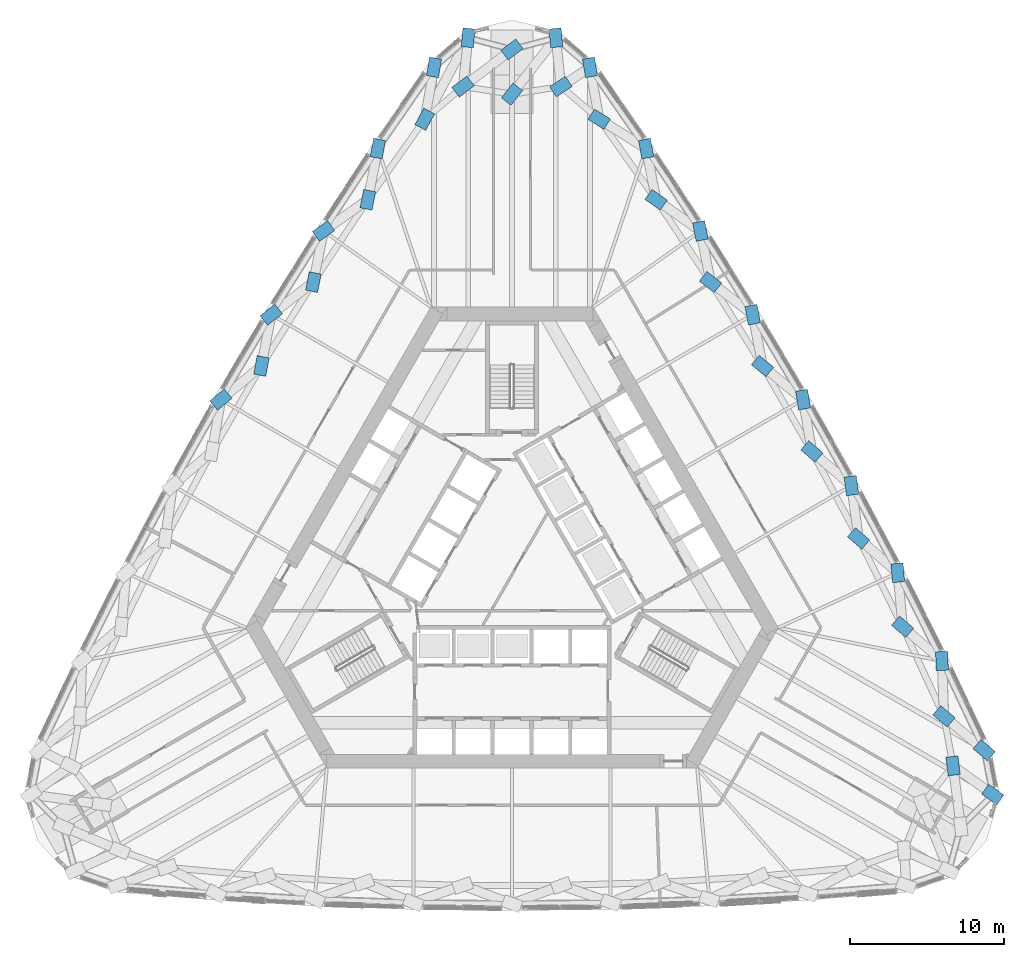
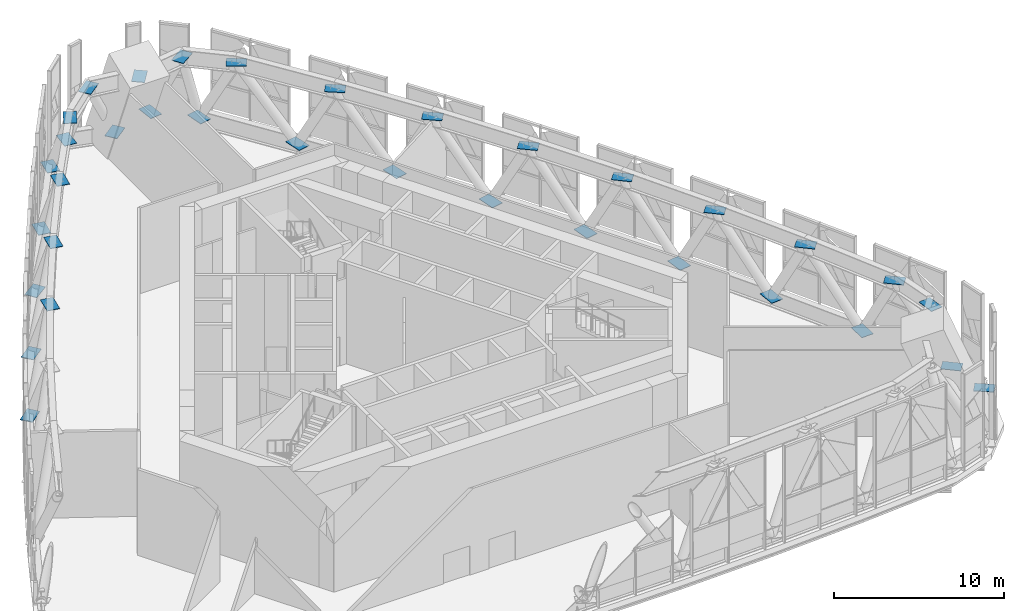
# One storey, part 27 of 33: 34 discrete accessories.
"""IFC4 building model written with IfcOpenShell, lengths in metres."""

from ifc_helpers import new_model, si_unit, direction, frame, origin, place, context, subcontext, project, spatial, polyline, outline, extrude, material, layer, layer_set, type_object, element, save


model = new_model("IFC4")

# Units and contexts
model_context = context("Model", 3, precision=1e-05, world=origin(), true_north=direction((0.0, 1.0)))
body_context = subcontext(model_context, "Body", "Model", "MODEL_VIEW")
ifc_project = project(units=[si_unit("LENGTHUNIT", "METRE"), si_unit("AREAUNIT", "SQUARE_METRE"), si_unit("VOLUMEUNIT", "CUBIC_METRE"), si_unit("PLANEANGLEUNIT", "RADIAN"), si_unit("MASSUNIT", "GRAM", prefix="KILO")], contexts=[model_context])

# Site, building, storey
site_placement = place(None, origin())
site = spatial("IfcSite", under=ifc_project, at=site_placement, CompositionType="ELEMENT")
building_placement = place(site_placement, origin())
building = spatial("IfcBuilding", under=site, at=building_placement, Name="Mestral Congress Tower", CompositionType="ELEMENT")
storey_placement = place(building_placement, frame((0.0, 0.0, 134.39990234375)))
storey = spatial("IfcBuildingStorey", under=building, at=storey_placement, Name="L32", CompositionType="ELEMENT", Elevation=134.39990234375)

# Discrete accessories
ifc_material = material(Name="Steel S355", Category="steel")
ifc_layer = layer(ifc_material, 0.034912109375)
ifc_layer_set = layer_set([ifc_layer], Name="Steel S355")
discrete_accessory_type = type_object("IfcDiscreteAccessoryType", Name="Brace end gusset plate 35 S355", PredefinedType="BRACKET", material=ifc_layer_set)
placement_1 = place(storey_placement, frame((0.0, 0.0, 0.58251953125)))
element("IfcDiscreteAccessory", 1, at=placement_1, inside=storey, type_object=discrete_accessory_type, Name="Brace end gusset plate 35 S355", PredefinedType="BRACKET", context=body_context, shape_type="SweptSolid", body=[
    extrude(outline(polyline([(-19.09033203125, 10.2021484375), (-18.1513671875, 10.98095703125), (-18.657470703125, 11.59130859375), (-19.596435546875, 10.8125), (-19.09033203125, 10.2021484375)])), origin(), (0.0, 0.0, 1.0), 0.03515625),
])
placement_2 = place(storey_placement, frame((0.0, 0.0, 6.33251953125)))
element("IfcDiscreteAccessory", 2, at=placement_2, inside=storey, type_object=discrete_accessory_type, Name="Brace end gusset plate 35 S355", PredefinedType="BRACKET", context=body_context, shape_type="SweptSolid", body=[
    extrude(outline(polyline([(-15.972900390625, 12.401611328125), (-15.742919921875, 13.599609375), (-16.521728515625, 13.7490234375), (-16.751708984375, 12.55078125), (-15.972900390625, 12.401611328125)])), origin(), (0.0, 0.0, 1.0), 0.03515625),
])
element("IfcDiscreteAccessory", 3, at=placement_1, inside=storey, type_object=discrete_accessory_type, Name="Brace end gusset plate 35 S355", PredefinedType="BRACKET", context=body_context, shape_type="SweptSolid", body=[
    extrude(outline(polyline([(-15.848388671875, 15.71435546875), (-14.88427734375, 16.4619140625), (-15.3701171875, 17.088623046875), (-16.334228515625, 16.341064453125), (-15.848388671875, 15.71435546875)])), origin(), (0.0, 0.0, 1.0), 0.03515625),
])
element("IfcDiscreteAccessory", 4, at=placement_2, inside=storey, type_object=discrete_accessory_type, Name="Brace end gusset plate 35 S355", PredefinedType="BRACKET", context=body_context, shape_type="SweptSolid", body=[
    extrude(outline(polyline([(-12.61083984375, 17.84130859375), (-12.371337890625, 19.03759765625), (-13.148681640625, 19.193359375), (-13.38818359375, 17.9970703125), (-12.61083984375, 17.84130859375)])), origin(), (0.0, 0.0, 1.0), 0.03515625),
])
element("IfcDiscreteAccessory", 5, at=placement_1, inside=storey, type_object=discrete_accessory_type, Name="Brace end gusset plate 35 S355", PredefinedType="BRACKET", context=body_context, shape_type="SweptSolid", body=[
    extrude(outline(polyline([(-12.486572265625, 21.152587890625), (-11.489990234375, 21.856201171875), (-11.947509765625, 22.50390625), (-12.944091796875, 21.80029296875), (-12.486572265625, 21.152587890625)])), origin(), (0.0, 0.0, 1.0), 0.03515625),
])
element("IfcDiscreteAccessory", 6, at=placement_2, inside=storey, type_object=discrete_accessory_type, Name="Brace end gusset plate 35 S355", PredefinedType="BRACKET", context=body_context, shape_type="SweptSolid", body=[
    extrude(outline(polyline([(-9.07568359375, 23.179443359375), (-8.841552734375, 24.376708984375), (-9.619873046875, 24.52880859375), (-9.85400390625, 23.33154296875), (-9.07568359375, 23.179443359375)])), origin(), (0.0, 0.0, 1.0), 0.03515625),
])
element("IfcDiscreteAccessory", 7, at=placement_1, inside=storey, type_object=discrete_accessory_type, Name="Brace end gusset plate 35 S355", PredefinedType="BRACKET", context=body_context, shape_type="SweptSolid", body=[
    extrude(outline(polyline([(-8.970703125, 27.84912109375), (-9.204833984375, 26.651611328125), (-8.426513671875, 26.49951171875), (-8.1923828125, 27.697021484375), (-8.970703125, 27.84912109375)])), origin(), (0.0, 0.0, 1.0), 0.03515625),
])
element("IfcDiscreteAccessory", 8, at=placement_2, inside=storey, type_object=discrete_accessory_type, Name="Brace end gusset plate 35 S355", PredefinedType="BRACKET", context=body_context, shape_type="SweptSolid", body=[
    extrude(outline(polyline([(-5.591064453125, 28.35595703125), (-5.017822265625, 29.432861328125), (-5.7177734375, 29.805419921875), (-6.291015625, 28.728515625), (-5.591064453125, 28.35595703125)])), origin(), (0.0, 0.0, 1.0), 0.03515625),
])
element("IfcDiscreteAccessory", 9, at=placement_1, inside=storey, type_object=discrete_accessory_type, Name="Brace end gusset plate 35 S355", PredefinedType="BRACKET", context=body_context, shape_type="SweptSolid", body=[
    extrude(outline(polyline([(-5.339599609375, 33.106689453125), (-5.5537109375, 31.905517578125), (-4.77294921875, 31.766357421875), (-4.558837890625, 32.967529296875), (-5.339599609375, 33.106689453125)])), origin(), (0.0, 0.0, 1.0), 0.03515625),
])
element("IfcDiscreteAccessory", 10, at=placement_2, inside=storey, type_object=discrete_accessory_type, Name="Brace end gusset plate 35 S355", PredefinedType="BRACKET", context=body_context, shape_type="SweptSolid", body=[
    extrude(outline(polyline([(-3.41796875, 30.510009765625), (-2.44580078125, 31.2470703125), (-2.9248046875, 31.879150390625), (-3.89697265625, 31.14208984375), (-3.41796875, 30.510009765625)])), origin(), (0.0, 0.0, 1.0), 0.03515625),
])
element("IfcDiscreteAccessory", 11, at=placement_1, inside=storey, type_object=discrete_accessory_type, Name="Brace end gusset plate 35 S355", PredefinedType="BRACKET", context=body_context, shape_type="SweptSolid", body=[
    extrude(outline(polyline([(-3.177490234375, 35.00439453125), (-3.302490234375, 33.790771484375), (-2.513671875, 33.70947265625), (-2.388671875, 34.923095703125), (-3.177490234375, 35.00439453125)])), origin(), (0.0, 0.0, 1.0), 0.03515625),
])
element("IfcDiscreteAccessory", 12, at=placement_2, inside=storey, type_object=discrete_accessory_type, Name="Brace end gusset plate 35 S355", PredefinedType="BRACKET", context=body_context, shape_type="SweptSolid", body=[
    extrude(outline(polyline([(-0.06201171875, 29.979248046875), (0.687744140625, 30.941650390625), (0.06201171875, 31.42919921875), (-0.687744140625, 30.466796875), (-0.06201171875, 29.979248046875)])), origin(), (0.0, 0.0, 1.0), 0.03515625),
])
element("IfcDiscreteAccessory", 13, at=placement_1, inside=storey, type_object=discrete_accessory_type, Name="Brace end gusset plate 35 S355", PredefinedType="BRACKET", context=body_context, shape_type="SweptSolid", body=[
    extrude(outline(polyline([(0.24658203125, 34.282958984375), (-0.7255859375, 33.5458984375), (-0.24658203125, 32.9140625), (0.7255859375, 33.65087890625), (0.24658203125, 34.282958984375)])), origin(), (0.0, 0.0, 1.0), 0.03515625),
])
element("IfcDiscreteAccessory", 14, at=placement_1, inside=storey, type_object=discrete_accessory_type, Name="Brace end gusset plate 35 S355", PredefinedType="BRACKET", context=body_context, shape_type="SweptSolid", body=[
    extrude(outline(polyline([(2.388671875, 34.923095703125), (2.513671875, 33.70947265625), (3.302490234375, 33.790771484375), (3.177490234375, 35.00439453125), (2.388671875, 34.923095703125)])), origin(), (0.0, 0.0, 1.0), 0.03515625),
])
element("IfcDiscreteAccessory", 15, at=placement_2, inside=storey, type_object=discrete_accessory_type, Name="Brace end gusset plate 35 S355", PredefinedType="BRACKET", context=body_context, shape_type="SweptSolid", body=[
    extrude(outline(polyline([(2.880126953125, 30.52783203125), (3.898681640625, 31.19921875), (3.46240234375, 31.861328125), (2.44384765625, 31.190185546875), (2.880126953125, 30.52783203125)])), origin(), (0.0, 0.0, 1.0), 0.03515625),
])
element("IfcDiscreteAccessory", 16, at=placement_1, inside=storey, type_object=discrete_accessory_type, Name="Brace end gusset plate 35 S355", PredefinedType="BRACKET", context=body_context, shape_type="SweptSolid", body=[
    extrude(outline(polyline([(4.558837890625, 32.967529296875), (4.77294921875, 31.766357421875), (5.5537109375, 31.905517578125), (5.339599609375, 33.106689453125), (4.558837890625, 32.967529296875)])), origin(), (0.0, 0.0, 1.0), 0.03515625),
])
element("IfcDiscreteAccessory", 17, at=placement_2, inside=storey, type_object=discrete_accessory_type, Name="Brace end gusset plate 35 S355", PredefinedType="BRACKET", context=body_context, shape_type="SweptSolid", body=[
    extrude(outline(polyline([(4.927001953125, 29.068359375), (5.9609375, 28.4208984375), (6.3818359375, 29.093017578125), (5.347900390625, 29.740478515625), (4.927001953125, 29.068359375)])), origin(), (0.0, 0.0, 1.0), 0.03515625),
])
element("IfcDiscreteAccessory", 18, at=placement_1, inside=storey, type_object=discrete_accessory_type, Name="Brace end gusset plate 35 S355", PredefinedType="BRACKET", context=body_context, shape_type="SweptSolid", body=[
    extrude(outline(polyline([(8.1923828125, 27.697021484375), (8.426513671875, 26.49951171875), (9.204833984375, 26.651611328125), (8.970703125, 27.84912109375), (8.1923828125, 27.697021484375)])), origin(), (0.0, 0.0, 1.0), 0.03515625),
])
element("IfcDiscreteAccessory", 19, at=placement_2, inside=storey, type_object=discrete_accessory_type, Name="Brace end gusset plate 35 S355", PredefinedType="BRACKET", context=body_context, shape_type="SweptSolid", body=[
    extrude(outline(polyline([(8.62060546875, 23.882080078125), (9.6171875, 23.178466796875), (10.07470703125, 23.826416015625), (9.078125, 24.52978515625), (8.62060546875, 23.882080078125)])), origin(), (0.0, 0.0, 1.0), 0.03515625),
])
element("IfcDiscreteAccessory", 20, at=placement_1, inside=storey, type_object=discrete_accessory_type, Name="Brace end gusset plate 35 S355", PredefinedType="BRACKET", context=body_context, shape_type="SweptSolid", body=[
    extrude(outline(polyline([(11.70849609375, 22.3486328125), (11.947998046875, 21.15234375), (12.7255859375, 21.30810546875), (12.486083984375, 22.50439453125), (11.70849609375, 22.3486328125)])), origin(), (0.0, 0.0, 1.0), 0.03515625),
])
element("IfcDiscreteAccessory", 21, at=placement_2, inside=storey, type_object=discrete_accessory_type, Name="Brace end gusset plate 35 S355", PredefinedType="BRACKET", context=body_context, shape_type="SweptSolid", body=[
    extrude(outline(polyline([(12.15478515625, 18.577880859375), (13.118896484375, 17.830322265625), (13.604736328125, 18.45703125), (12.640625, 19.20458984375), (12.15478515625, 18.577880859375)])), origin(), (0.0, 0.0, 1.0), 0.03515625),
])
element("IfcDiscreteAccessory", 22, at=placement_1, inside=storey, type_object=discrete_accessory_type, Name="Brace end gusset plate 35 S355", PredefinedType="BRACKET", context=body_context, shape_type="SweptSolid", body=[
    extrude(outline(polyline([(15.10498046875, 16.92578125), (15.334716796875, 15.727783203125), (16.113525390625, 15.877197265625), (15.8837890625, 17.0751953125), (15.10498046875, 16.92578125)])), origin(), (0.0, 0.0, 1.0), 0.03515625),
])
element("IfcDiscreteAccessory", 23, at=placement_2, inside=storey, type_object=discrete_accessory_type, Name="Brace end gusset plate 35 S355", PredefinedType="BRACKET", context=body_context, shape_type="SweptSolid", body=[
    extrude(outline(polyline([(15.524658203125, 13.159423828125), (16.463623046875, 12.380615234375), (16.969970703125, 12.9912109375), (16.031005859375, 13.77001953125), (15.524658203125, 13.159423828125)])), origin(), (0.0, 0.0, 1.0), 0.03515625),
])
element("IfcDiscreteAccessory", 24, at=placement_1, inside=storey, type_object=discrete_accessory_type, Name="Brace end gusset plate 35 S355", PredefinedType="BRACKET", context=body_context, shape_type="SweptSolid", body=[
    extrude(outline(polyline([(18.380615234375, 11.431396484375), (18.58544921875, 10.22900390625), (19.3671875, 10.362060546875), (19.162353515625, 11.564697265625), (18.380615234375, 11.431396484375)])), origin(), (0.0, 0.0, 1.0), 0.03515625),
])
element("IfcDiscreteAccessory", 25, at=placement_2, inside=storey, type_object=discrete_accessory_type, Name="Brace end gusset plate 35 S355", PredefinedType="BRACKET", context=body_context, shape_type="SweptSolid", body=[
    extrude(outline(polyline([(18.726318359375, 7.632080078125), (19.649169921875, 6.833984375), (20.16796875, 7.433837890625), (19.2451171875, 8.231689453125), (18.726318359375, 7.632080078125)])), origin(), (0.0, 0.0, 1.0), 0.03515625),
])
element("IfcDiscreteAccessory", 26, at=placement_1, inside=storey, type_object=discrete_accessory_type, Name="Brace end gusset plate 35 S355", PredefinedType="BRACKET", context=body_context, shape_type="SweptSolid", body=[
    extrude(outline(polyline([(21.533447265625, 5.8681640625), (21.698486328125, 4.6591796875), (22.484130859375, 4.7666015625), (22.319091796875, 5.9755859375), (21.533447265625, 5.8681640625)])), origin(), (0.0, 0.0, 1.0), 0.03515625),
])
element("IfcDiscreteAccessory", 27, at=placement_2, inside=storey, type_object=discrete_accessory_type, Name="Brace end gusset plate 35 S355", PredefinedType="BRACKET", context=body_context, shape_type="SweptSolid", body=[
    extrude(outline(polyline([(21.756591796875, 2.00048828125), (22.672607421875, 1.195068359375), (23.1962890625, 1.79052734375), (22.280029296875, 2.595947265625), (21.756591796875, 2.00048828125)])), origin(), (0.0, 0.0, 1.0), 0.03515625),
])
element("IfcDiscreteAccessory", 28, at=placement_1, inside=storey, type_object=discrete_accessory_type, Name="Brace end gusset plate 35 S355", PredefinedType="BRACKET", context=body_context, shape_type="SweptSolid", body=[
    extrude(outline(polyline([(24.56201171875, 0.237548828125), (24.673095703125, -0.9775390625), (25.462646484375, -0.9052734375), (25.3515625, 0.309814453125), (24.56201171875, 0.237548828125)])), origin(), (0.0, 0.0, 1.0), 0.03515625),
])
element("IfcDiscreteAccessory", 29, at=placement_2, inside=storey, type_object=discrete_accessory_type, Name="Brace end gusset plate 35 S355", PredefinedType="BRACKET", context=body_context, shape_type="SweptSolid", body=[
    extrude(outline(polyline([(24.61181640625, -3.72998046875), (25.53173828125, -4.531494140625), (26.052490234375, -3.933349609375), (25.1328125, -3.132080078125), (24.61181640625, -3.72998046875)])), origin(), (0.0, 0.0, 1.0), 0.03515625),
])
element("IfcDiscreteAccessory", 30, at=placement_1, inside=storey, type_object=discrete_accessory_type, Name="Brace end gusset plate 35 S355", PredefinedType="BRACKET", context=body_context, shape_type="SweptSolid", body=[
    extrude(outline(polyline([(27.46484375, -5.45849609375), (27.508544921875, -6.677490234375), (28.301025390625, -6.649169921875), (28.25732421875, -5.429931640625), (27.46484375, -5.45849609375)])), origin(), (0.0, 0.0, 1.0), 0.03515625),
])
element("IfcDiscreteAccessory", 31, at=placement_2, inside=storey, type_object=discrete_accessory_type, Name="Brace end gusset plate 35 S355", PredefinedType="BRACKET", context=body_context, shape_type="SweptSolid", body=[
    extrude(outline(polyline([(27.289794921875, -9.5537109375), (28.222900390625, -10.339599609375), (28.73388671875, -9.733154296875), (27.80078125, -8.947265625), (27.289794921875, -9.5537109375)])), origin(), (0.0, 0.0, 1.0), 0.03515625),
])
element("IfcDiscreteAccessory", 32, at=placement_2, inside=storey, type_object=discrete_accessory_type, Name="Brace end gusset plate 35 S355", PredefinedType="BRACKET", context=body_context, shape_type="SweptSolid", body=[
    extrude(outline(polyline([(28.131591796875, -12.295166015625), (28.28369140625, -13.505615234375), (29.070556640625, -13.40673828125), (28.918212890625, -12.1962890625), (28.131591796875, -12.295166015625)])), origin(), (0.0, 0.0, 1.0), 0.03515625),
])
element("IfcDiscreteAccessory", 33, at=placement_1, inside=storey, type_object=discrete_accessory_type, Name="Brace end gusset plate 35 S355", PredefinedType="BRACKET", context=body_context, shape_type="SweptSolid", body=[
    extrude(outline(polyline([(31.341064453125, -11.92919921875), (30.407958984375, -11.143310546875), (29.89697265625, -11.749755859375), (30.830078125, -12.53564453125), (31.341064453125, -11.92919921875)])), origin(), (0.0, 0.0, 1.0), 0.03515625),
])
element("IfcDiscreteAccessory", 34, at=placement_1, inside=storey, type_object=discrete_accessory_type, Name="Brace end gusset plate 35 S355", PredefinedType="BRACKET", context=body_context, shape_type="SweptSolid", body=[
    extrude(outline(polyline([(31.9033203125, -14.75048828125), (30.914794921875, -14.035400390625), (30.4501953125, -14.677734375), (31.438720703125, -15.392822265625), (31.9033203125, -14.75048828125)])), origin(), (0.0, 0.0, 1.0), 0.03515625),
])

save(model, "model.ifc")
